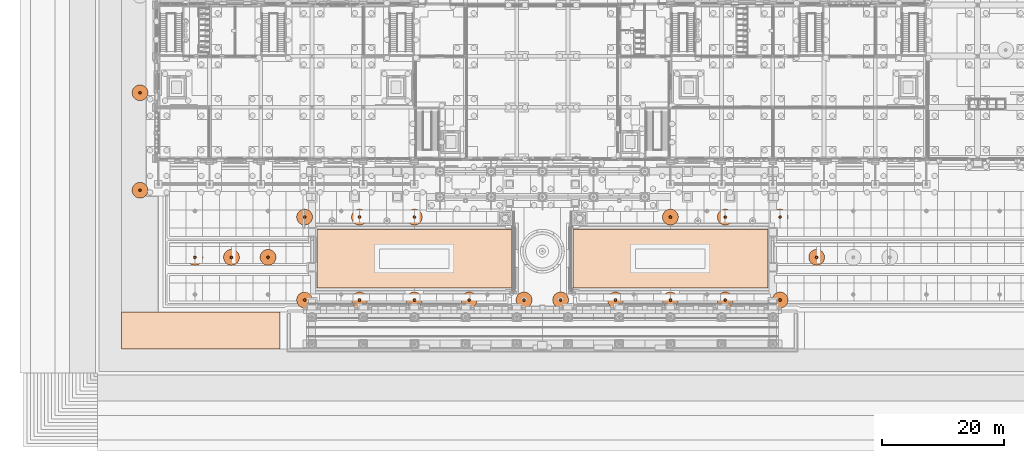
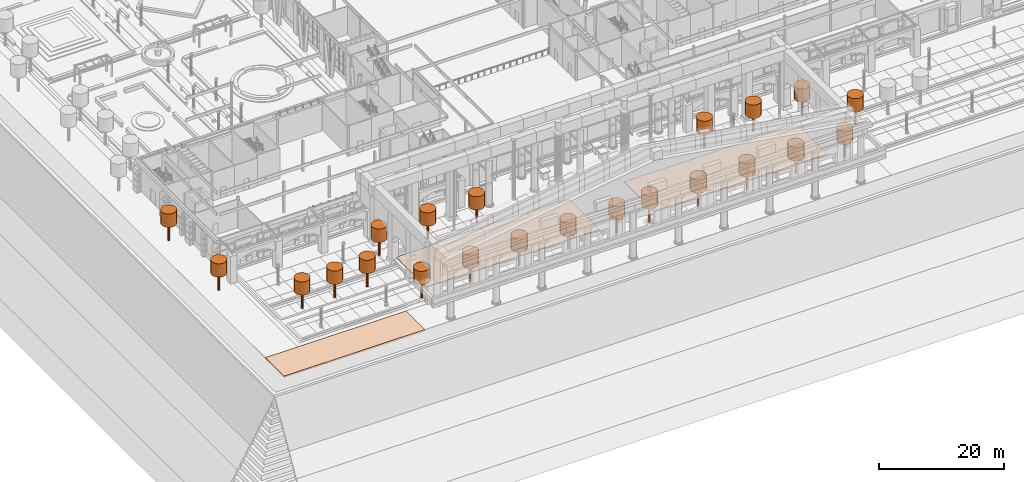
# One storey, part 219 of 222: 47 geographic elements.
"""IFC4 building model written with IfcOpenShell, lengths in metres."""

from ifc_helpers import new_model, si_unit, direction, frame, origin, origin_2d, place, context, subcontext, project, spatial, polyline, circle, outline, extrude, material, type_object, element, save


model = new_model("IFC4")

# Units and contexts
model_context = context("Model", 3, precision=1e-05, world=origin(), true_north=direction((0.0, 1.0)))
body_context = subcontext(model_context, "Body", "Model", "MODEL_VIEW")
ifc_project = project(units=[si_unit("LENGTHUNIT", "METRE"), si_unit("AREAUNIT", "SQUARE_METRE"), si_unit("VOLUMEUNIT", "CUBIC_METRE"), si_unit("PLANEANGLEUNIT", "RADIAN"), si_unit("MASSUNIT", "GRAM", prefix="KILO")], contexts=[model_context])

# Site, building, storey
site_placement = place(None, origin())
site = spatial("IfcSite", under=ifc_project, at=site_placement, CompositionType="ELEMENT")
building_placement = place(site_placement, origin())
building = spatial("IfcBuilding", under=site, at=building_placement, Name="Sava Quay Ferry Terminal", CompositionType="ELEMENT")
storey_placement = place(building_placement, origin())
storey = spatial("IfcBuildingStorey", under=building, at=storey_placement, Name="L00", CompositionType="ELEMENT", Elevation=0.0)

# Geographic elements
ifc_material_1 = material(Name="Turf and topsoil")
geographic_element_type_1 = type_object("IfcGeographicElementType", Name="Lawn bed 150", PredefinedType="TERRAIN", material=ifc_material_1)
geographic_element_1_placement = place(storey_placement, origin())
element("IfcGeographicElement", 1, at=geographic_element_1_placement, inside=storey, type_object=geographic_element_type_1, Name="Forecourt lawn parterre (raised bed)", PredefinedType="TERRAIN", context=body_context, shape_type="SweptSolid", body=[
    extrude(outline(polyline([(58.0, 4.0), (58.0, 13.60009765625), (26.0, 13.60009765625), (26.0, 4.0), (58.0, 4.0)])), origin(), (0.0, 0.0, 1.0), 0.14990234375),
])
geographic_element_2_placement = place(storey_placement, origin())
element("IfcGeographicElement", 2, at=geographic_element_2_placement, inside=storey, type_object=geographic_element_type_1, Name="Forecourt lawn parterre (raised bed)", PredefinedType="TERRAIN", context=body_context, shape_type="SweptSolid", body=[
    extrude(outline(polyline([(100.0, 4.0), (100.0, 13.60009765625), (68.0, 13.60009765625), (68.0, 4.0), (100.0, 4.0)])), origin(), (0.0, 0.0, 1.0), 0.14990234375),
])
ifc_material_2 = material(Name="Turf and topsoil")
geographic_element_type_2 = type_object("IfcGeographicElementType", Name="Lawn terrain 300", PredefinedType="TERRAIN", material=ifc_material_2)
geographic_element_3_placement = place(storey_placement, frame((0.0, 0.0, -0.300048828125)))
element("IfcGeographicElement", 3, at=geographic_element_3_placement, inside=storey, type_object=geographic_element_type_2, Name="Quay lawn south of the quay deck", PredefinedType="TERRAIN", context=body_context, shape_type="SweptSolid", body=[
    extrude(outline(polyline([(-6.0, -6.0), (-6.0, 0.0), (20.0, 0.0), (20.0, -6.0), (-6.0, -6.0)])), origin(), (0.0, 0.0, 1.0), 0.300048828125),
])
ifc_material_3 = material(Name="Foliage")
geographic_element_type_3 = type_object("IfcGeographicElementType", Name="Tree crown D2600", PredefinedType="USERDEFINED", material=ifc_material_3)
for number, where, z_axis, x_axis, name in (
    (4, (24.0, 2.0, 6.0), (0.0, 0.0, -1.0), (1.0, 0.0, 0.0), "Tree crown"),
    (5, (33.0, 2.0, 6.0), (0.0, 0.0, -1.0), (1.0, 0.0, 0.0), "Tree crown"),
    (6, (42.0, 2.0, 6.0), (0.0, 0.0, -1.0), (1.0, 0.0, 0.0), "Tree crown"),
    (7, (51.0, 2.0, 6.0), (0.0, 0.0, -1.0), (1.0, 0.0, 0.0), "Tree crown"),
    (8, (60.0, 2.0, 6.0), (0.0, 0.0, -1.0), (1.0, 0.0, 0.0), "Tree crown"),
    (9, (66.0, 2.0, 6.0), (0.0, 0.0, -1.0), (1.0, 0.0, 0.0), "Tree crown"),
    (10, (75.0, 2.0, 6.0), (0.0, 0.0, -1.0), (1.0, 0.0, 0.0), "Tree crown"),
    (11, (84.0, 2.0, 6.0), (0.0, 0.0, -1.0), (1.0, 0.0, 0.0), "Tree crown"),
    (12, (93.0, 2.0, 6.0), (0.0, 0.0, -1.0), (1.0, 0.0, 0.0), "Tree crown"),
    (13, (102.0, 2.0, 6.0), (0.0, 0.0, -1.0), (1.0, 0.0, 0.0), "Tree crown"),
    (14, (24.0, 15.60009765625, 6.0), (0.0, 0.0, -1.0), (1.0, 0.0, 0.0), "Tree crown"),
    (15, (33.0, 15.60009765625, 6.0), (0.0, 0.0, -1.0), (1.0, 0.0, 0.0), "Tree crown"),
    (16, (42.0, 15.60009765625, 6.0), (0.0, 0.0, -1.0), (1.0, 0.0, 0.0), "Tree crown"),
    (17, (84.0, 15.60009765625, 6.0), (0.0, 0.0, -1.0), (1.0, 0.0, 0.0), "Tree crown"),
    (18, (93.0, 15.60009765625, 6.0), (0.0, 0.0, -1.0), (1.0, 0.0, 0.0), "Tree crown"),
    (19, (102.0, 15.60009765625, 6.0), (0.0, 0.0, -1.0), (1.0, 0.0, 0.0), "Tree crown"),
    (20, (6.0, 9.0, 6.0), (0.0, 0.0, -1.0), (1.0, 0.0, 0.0), "Tree crown"),
    (21, (12.0, 9.0, 6.0), (0.0, 0.0, -1.0), (1.0, 0.0, 0.0), "Tree crown"),
    (22, (18.0, 9.0, 6.0), (0.0, 0.0, -1.0), (1.0, 0.0, 0.0), "Tree crown"),
    (23, (108.0, 9.0, 6.0), (0.0, 0.0, -1.0), (1.0, 0.0, 0.0), "Tree crown"),
    (24, (-3.0, 20.0, 6.0), (0.0, 0.0, -1.0), (1.0, 0.0, 0.0), "Tree crown"),
    (25, (-3.0, 36.0, 6.0), (0.0, 0.0, -1.0), (1.0, 0.0, 0.0), "Tree crown"),
):
    element("IfcGeographicElement", number, at=place(storey_placement, frame(where, z_axis=z_axis, x_axis=x_axis)), inside=storey, type_object=geographic_element_type_3, Name=name, ObjectType="TREE CROWN", PredefinedType="USERDEFINED", context=body_context, shape_type="SweptSolid", body=[
        extrude(circle(Radius=1.300048828125, at=origin_2d()), origin(), (0.0, 0.0, 1.0), 2.60009765625),
    ])
ifc_material_4 = material(Name="Timber", Category="wood")
geographic_element_type_4 = type_object("IfcGeographicElementType", Name="Tree trunk D400", PredefinedType="USERDEFINED", material=ifc_material_4)
for number, where, z_axis, x_axis, name in (
    (26, (24.0, 2.0, 3.39990234375), (0.0, 0.0, -1.0), (1.0, 0.0, 0.0), "Tree trunk"),
    (27, (33.0, 2.0, 3.39990234375), (0.0, 0.0, -1.0), (1.0, 0.0, 0.0), "Tree trunk"),
    (28, (42.0, 2.0, 3.39990234375), (0.0, 0.0, -1.0), (1.0, 0.0, 0.0), "Tree trunk"),
    (29, (51.0, 2.0, 3.39990234375), (0.0, 0.0, -1.0), (1.0, 0.0, 0.0), "Tree trunk"),
    (30, (60.0, 2.0, 3.39990234375), (0.0, 0.0, -1.0), (1.0, 0.0, 0.0), "Tree trunk"),
    (31, (66.0, 2.0, 3.39990234375), (0.0, 0.0, -1.0), (1.0, 0.0, 0.0), "Tree trunk"),
    (32, (75.0, 2.0, 3.39990234375), (0.0, 0.0, -1.0), (1.0, 0.0, 0.0), "Tree trunk"),
    (33, (84.0, 2.0, 3.39990234375), (0.0, 0.0, -1.0), (1.0, 0.0, 0.0), "Tree trunk"),
    (34, (93.0, 2.0, 3.39990234375), (0.0, 0.0, -1.0), (1.0, 0.0, 0.0), "Tree trunk"),
    (35, (102.0, 2.0, 3.39990234375), (0.0, 0.0, -1.0), (1.0, 0.0, 0.0), "Tree trunk"),
    (36, (24.0, 15.60009765625, 3.39990234375), (0.0, 0.0, -1.0), (1.0, 0.0, 0.0), "Tree trunk"),
    (37, (33.0, 15.60009765625, 3.39990234375), (0.0, 0.0, -1.0), (1.0, 0.0, 0.0), "Tree trunk"),
    (38, (42.0, 15.60009765625, 3.39990234375), (0.0, 0.0, -1.0), (1.0, 0.0, 0.0), "Tree trunk"),
    (39, (84.0, 15.60009765625, 3.39990234375), (0.0, 0.0, -1.0), (1.0, 0.0, 0.0), "Tree trunk"),
    (40, (93.0, 15.60009765625, 3.39990234375), (0.0, 0.0, -1.0), (1.0, 0.0, 0.0), "Tree trunk"),
    (41, (102.0, 15.60009765625, 3.39990234375), (0.0, 0.0, -1.0), (1.0, 0.0, 0.0), "Tree trunk"),
    (42, (6.0, 9.0, 3.39990234375), (0.0, 0.0, -1.0), (1.0, 0.0, 0.0), "Tree trunk"),
    (43, (12.0, 9.0, 3.39990234375), (0.0, 0.0, -1.0), (1.0, 0.0, 0.0), "Tree trunk"),
    (44, (18.0, 9.0, 3.39990234375), (0.0, 0.0, -1.0), (1.0, 0.0, 0.0), "Tree trunk"),
    (45, (108.0, 9.0, 3.39990234375), (0.0, 0.0, -1.0), (1.0, 0.0, 0.0), "Tree trunk"),
    (46, (-3.0, 20.0, 3.39990234375), (0.0, 0.0, -1.0), (1.0, 0.0, 0.0), "Tree trunk"),
    (47, (-3.0, 36.0, 3.39990234375), (0.0, 0.0, -1.0), (1.0, 0.0, 0.0), "Tree trunk"),
):
    element("IfcGeographicElement", number, at=place(storey_placement, frame(where, z_axis=z_axis, x_axis=x_axis)), inside=storey, type_object=geographic_element_type_4, Name=name, ObjectType="TREE TRUNK", PredefinedType="USERDEFINED", context=body_context, shape_type="SweptSolid", body=[
        extrude(circle(Radius=0.199951171875, at=origin_2d()), origin(), (0.0, 0.0, 1.0), 3.39990234375),
    ])

save(model, "model.ifc")
